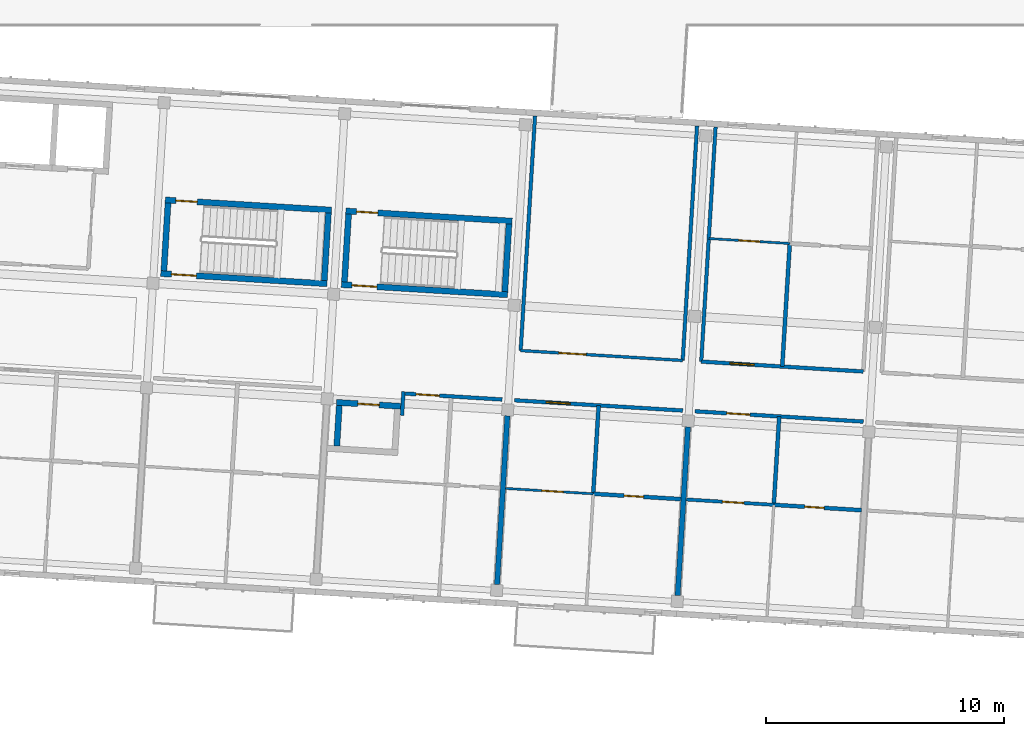
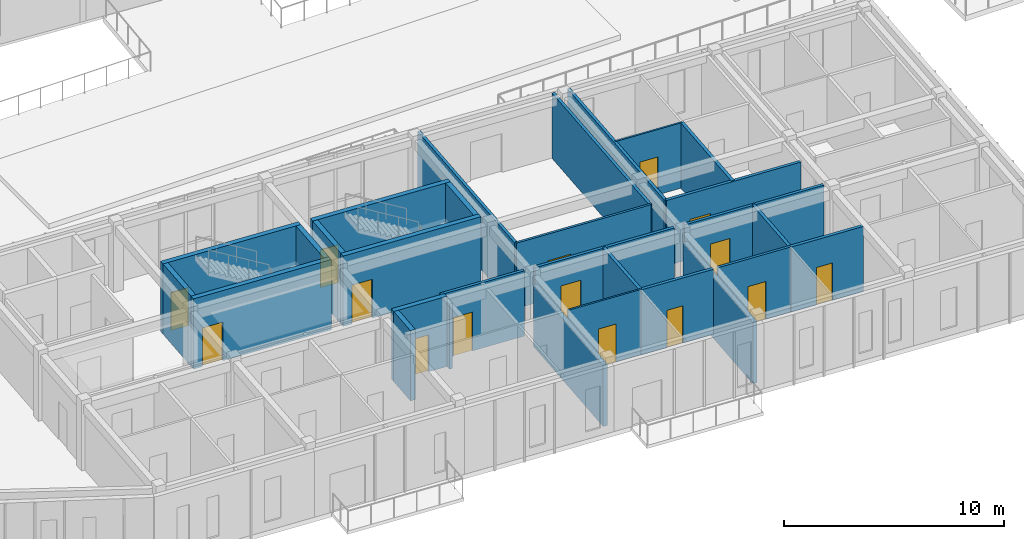
# One storey, part 88 of 150: 29 walls, 15 doors, 15 openings.
"""IFC4 building model written with IfcOpenShell, lengths in metres."""

from ifc_helpers import new_model, si_unit, direction, frame, frame_2d, origin, place, context, subcontext, project, spatial, rectangle, extrude, material, layer, layer_set, type_object, element, fill, save


model = new_model("IFC4")

# Units and contexts
model_context = context("Model", 3, precision=1e-05, world=origin(), true_north=direction((0.0, 1.0)))
body_context = subcontext(model_context, "Body", "Model", "MODEL_VIEW")
ifc_project = project(units=[si_unit("LENGTHUNIT", "METRE"), si_unit("AREAUNIT", "SQUARE_METRE"), si_unit("VOLUMEUNIT", "CUBIC_METRE"), si_unit("PLANEANGLEUNIT", "RADIAN"), si_unit("MASSUNIT", "GRAM", prefix="KILO")], contexts=[model_context])

# Site, building, storey
site_placement = place(None, origin())
site = spatial("IfcSite", under=ifc_project, at=site_placement, CompositionType="ELEMENT")
building_placement = place(site_placement, origin())
building = spatial("IfcBuilding", under=site, at=building_placement, Name="Kestramere Prow Commons", CompositionType="ELEMENT")
storey_placement = place(building_placement, frame((0.0, 0.0, 4.5)))
storey = spatial("IfcBuildingStorey", under=building, at=storey_placement, Name="L01", CompositionType="ELEMENT", Elevation=4.5)

# Wall, opening, door
ifc_material_1 = material(Name="Concrete C40/50", Category="concrete")
ifc_layer_1 = layer(ifc_material_1, 0.25)
ifc_layer_set_1 = layer_set([ifc_layer_1], Name="Concrete C40/50")
wall_type_1 = type_object("IfcWallType", Name="W-CORE-250", PredefinedType="SHEAR", material=ifc_layer_set_1)
wall_1_placement = place(storey_placement, frame((68.3330078125, 61.513671875, 0.0), z_axis=(0.0, 0.0, 1.0), x_axis=(0.998135676081, -0.061034188237, 0.0)))
wall_1 = element("IfcWall", 1, at=wall_1_placement, inside=storey, type_object=wall_type_1, Name="ST-C1 L01 North Shaft Wall", PredefinedType="SHEAR", context=body_context, shape_type="SweptSolid", body=[
    extrude(rectangle(XDim=7.0, YDim=0.25, at=frame_2d((3.5, 0.0))), origin(), (0.0, 0.0, 1.0), 3.89990234375),
])
opening_1_placement = place(wall_1_placement, frame((0.449951171875, 0.0, 0.0)))
opening_1 = element("IfcOpeningElement", 2, at=opening_1_placement, cuts=wall_1, Name="Opening ID-08", PredefinedType="OPENING", context=body_context, shape_type="SweptSolid", body=[
    extrude(rectangle(XDim=0.89990234375, YDim=2.10009765625, at=frame_2d((0.449951171875, 1.050048828125))), frame((0.0, 0.139892578125, 0.0), z_axis=(0.0, -1.0, 0.0), x_axis=(1.0, 0.0, 0.0)), (0.0, 0.0, 1.0), 0.280029296875),
])
ifc_material_2 = material(Name="Engineered Timber Flush Door", Category="wood")
door_type_1 = type_object("IfcDoorType", Name="D-RM-01", OperationType="NOTDEFINED", PredefinedType="DOOR", material=ifc_material_2)
door_1_placement = place(opening_1_placement, origin())
door_1 = element("IfcDoor", 3, at=door_1_placement, inside=storey, type_object=door_type_1, Name="ST-C1 L01 North Room Door", OperationType="SINGLE_SWING_RIGHT", OverallHeight=2.10009765625, OverallWidth=0.89990234375, PredefinedType="DOOR", context=body_context, shape_type="SweptSolid", body=[
    extrude(rectangle(XDim=0.89990234375, YDim=2.10009765625, at=frame_2d((0.449951171875, 1.050048828125))), frame((0.0, 0.02490234375, 0.0), z_axis=(0.0, -1.0, 0.0), x_axis=(1.0, 0.0, 0.0)), (0.0, 0.0, 1.0), 0.050048828125),
])
fill(opening_1, door_1)

wall_2_placement = place(storey_placement, frame((68.143798828125, 58.41943359375, 0.0), z_axis=(0.0, 0.0, 1.0), x_axis=(0.998135546153, -0.061036313012, 0.0)))
wall_2 = element("IfcWall", 4, at=wall_2_placement, inside=storey, type_object=wall_type_1, Name="ST-C1 L01 Corridor Shaft Wall", PredefinedType="SHEAR", context=body_context, shape_type="SweptSolid", body=[
    extrude(rectangle(XDim=6.999755859375, YDim=0.25, at=frame_2d((3.5, 0.0))), origin(), (0.0, 0.0, 1.0), 3.89990234375),
])
opening_2_placement = place(wall_2_placement, frame((0.449951171875, 0.0, 0.0)))
opening_2 = element("IfcOpeningElement", 5, at=opening_2_placement, cuts=wall_2, Name="Opening ID-01", PredefinedType="OPENING", context=body_context, shape_type="SweptSolid", body=[
    extrude(rectangle(XDim=1.050048828125, YDim=2.14990234375, at=frame_2d((0.52490234375, 1.074951171875))), frame((0.0, 0.139892578125, 0.0), z_axis=(0.0, -1.0, 0.0), x_axis=(1.0, 0.0, 0.0)), (0.0, 0.0, 1.0), 0.280029296875),
])
ifc_material_3 = material(Name="Fire-Rated Timber and Steel Frame", Category="steel")
door_type_2 = type_object("IfcDoorType", Name="FD-ST-01", OperationType="NOTDEFINED", PredefinedType="DOOR", material=ifc_material_3)
door_2_placement = place(opening_2_placement, origin())
door_2 = element("IfcDoor", 6, at=door_2_placement, inside=storey, type_object=door_type_2, Name="ST-C1 L01 Protected Stair Door", OperationType="SINGLE_SWING_RIGHT", OverallHeight=2.14990234375, OverallWidth=1.050048828125, PredefinedType="DOOR", context=body_context, shape_type="SweptSolid", body=[
    extrude(rectangle(XDim=1.050048828125, YDim=2.14990234375, at=frame_2d((0.52490234375, 1.074951171875))), frame((0.0, 0.02490234375, 0.0), z_axis=(0.0, -1.0, 0.0), x_axis=(1.0, 0.0, 0.0)), (0.0, 0.0, 1.0), 0.050048828125),
])
fill(opening_2, door_2)

# Walls
for number, where, z_axis, x_axis, name in (
    (7, (68.276123046875, 58.53662109375, 0.0), (0.0, 0.0, 1.0), (0.06107697143, 0.998133059046, 0.0), "ST-C1 L01 Near Shaft Wall"),
    (8, (75.013671875, 58.12451171875, 0.0), (0.0, 0.0, 1.0), (0.060991628362, 0.99813827763, 0.0), "ST-C1 L01 Far Shaft Wall"),
):
    element("IfcWall", number, at=place(storey_placement, frame(where, z_axis=z_axis, x_axis=x_axis)), inside=storey, type_object=wall_type_1, Name=name, PredefinedType="SHEAR", context=body_context, shape_type="SweptSolid", body=[
        extrude(rectangle(XDim=2.85009765625, YDim=0.25, at=frame_2d((1.425048828125, 0.0))), origin(), (0.0, 0.0, 1.0), 3.89990234375),
    ])

# Wall, opening, door
wall_3_placement = place(storey_placement, frame((75.9189453125, 61.0498046875, 0.0), z_axis=(0.0, 0.0, 1.0), x_axis=(0.998135546153, -0.061036313012, 0.0)))
wall_3 = element("IfcWall", 9, at=wall_3_placement, inside=storey, type_object=wall_type_1, Name="ST-C2 L01 North Shaft Wall", PredefinedType="SHEAR", context=body_context, shape_type="SweptSolid", body=[
    extrude(rectangle(XDim=6.999755859375, YDim=0.25, at=frame_2d((3.5, 0.0))), origin(), (0.0, 0.0, 1.0), 3.89990234375),
])
opening_3_placement = place(wall_3_placement, frame((0.449951171875, 0.0, 0.0)))
opening_3 = element("IfcOpeningElement", 10, at=opening_3_placement, cuts=wall_3, Name="Opening ID-08", PredefinedType="OPENING", context=body_context, shape_type="SweptSolid", body=[
    extrude(rectangle(XDim=0.89990234375, YDim=2.10009765625, at=frame_2d((0.449951171875, 1.050048828125))), frame((0.0, 0.139892578125, 0.0), z_axis=(0.0, -1.0, 0.0), x_axis=(1.0, 0.0, 0.0)), (0.0, 0.0, 1.0), 0.280029296875),
])
door_3_placement = place(opening_3_placement, origin())
door_3 = element("IfcDoor", 11, at=door_3_placement, inside=storey, type_object=door_type_1, Name="ST-C2 L01 North Room Door", OperationType="SINGLE_SWING_RIGHT", OverallHeight=2.10009765625, OverallWidth=0.89990234375, PredefinedType="DOOR", context=body_context, shape_type="SweptSolid", body=[
    extrude(rectangle(XDim=0.89990234375, YDim=2.10009765625, at=frame_2d((0.449951171875, 1.050048828125))), frame((0.0, 0.02490234375, 0.0), z_axis=(0.0, -1.0, 0.0), x_axis=(1.0, 0.0, 0.0)), (0.0, 0.0, 1.0), 0.050048828125),
])
fill(opening_3, door_3)

wall_4_placement = place(storey_placement, frame((75.729736328125, 57.95556640625, 0.0), z_axis=(0.0, 0.0, 1.0), x_axis=(0.998135546153, -0.061036313012, 0.0)))
wall_4 = element("IfcWall", 12, at=wall_4_placement, inside=storey, type_object=wall_type_1, Name="ST-C2 L01 Corridor Shaft Wall", PredefinedType="SHEAR", context=body_context, shape_type="SweptSolid", body=[
    extrude(rectangle(XDim=6.999755859375, YDim=0.25, at=frame_2d((3.5, 0.0))), origin(), (0.0, 0.0, 1.0), 3.89990234375),
])
opening_4_placement = place(wall_4_placement, frame((0.449951171875, 0.0, 0.0)))
opening_4 = element("IfcOpeningElement", 13, at=opening_4_placement, cuts=wall_4, Name="Opening ID-01", PredefinedType="OPENING", context=body_context, shape_type="SweptSolid", body=[
    extrude(rectangle(XDim=1.050048828125, YDim=2.14990234375, at=frame_2d((0.52490234375, 1.074951171875))), frame((0.0, 0.139892578125, 0.0), z_axis=(0.0, -1.0, 0.0), x_axis=(1.0, 0.0, 0.0)), (0.0, 0.0, 1.0), 0.280029296875),
])
door_4_placement = place(opening_4_placement, origin())
door_4 = element("IfcDoor", 14, at=door_4_placement, inside=storey, type_object=door_type_2, Name="ST-C2 L01 Protected Stair Door", OperationType="SINGLE_SWING_RIGHT", OverallHeight=2.14990234375, OverallWidth=1.050048828125, PredefinedType="DOOR", context=body_context, shape_type="SweptSolid", body=[
    extrude(rectangle(XDim=1.050048828125, YDim=2.14990234375, at=frame_2d((0.52490234375, 1.074951171875))), frame((0.0, 0.02490234375, 0.0), z_axis=(0.0, -1.0, 0.0), x_axis=(1.0, 0.0, 0.0)), (0.0, 0.0, 1.0), 0.050048828125),
])
fill(opening_4, door_4)

# Walls
for number, where, z_axis, x_axis, name in (
    (15, (75.862060546875, 58.07275390625, 0.0), (0.0, 0.0, 1.0), (0.060991628362, 0.99813827763, 0.0), "ST-C2 L01 Near Shaft Wall"),
    (16, (82.599365234375, 57.66064453125, 0.0), (0.0, 0.0, 1.0), (0.06107697143, 0.998133059046, 0.0), "ST-C2 L01 Far Shaft Wall"),
):
    element("IfcWall", number, at=place(storey_placement, frame(where, z_axis=z_axis, x_axis=x_axis)), inside=storey, type_object=wall_type_1, Name=name, PredefinedType="SHEAR", context=body_context, shape_type="SweptSolid", body=[
        extrude(rectangle(XDim=2.85009765625, YDim=0.25, at=frame_2d((1.425048828125, 0.0))), origin(), (0.0, 0.0, 1.0), 3.89990234375),
    ])
ifc_material_4 = material(Name="Fire-Rated Calcium Silicate Wall")
ifc_layer_2 = layer(ifc_material_4, 0.155029296875)
ifc_layer_set_2 = layer_set([ifc_layer_2], Name="Fire-Rated Calcium Silicate Wall")
wall_type_2 = type_object("IfcWallType", Name="W-FIRE-150", PredefinedType="PARTITIONING", material=ifc_layer_set_2)
wall_5_placement = place(storey_placement, frame((78.279052734375, 52.464599609375, 0.0), z_axis=(0.0, 0.0, 1.0), x_axis=(0.061095097219, 0.998131949742, 0.0)))
element("IfcWall", 17, at=wall_5_placement, inside=storey, type_object=wall_type_2, Name="Interior Partition PW-C-L01-HS-CLOSER", PredefinedType="PARTITIONING", context=body_context, shape_type="SweptSolid", body=[
    extrude(rectangle(XDim=0.9951171875, YDim=0.155029296875, at=frame_2d((0.49755859375, 0.0))), origin(), (0.0, 0.0, 1.0), 3.6201171875),
])

# Wall, opening, door
wall_6_placement = place(storey_placement, frame((78.415283203125, 53.378173828125, 0.0), z_axis=(0.0, 0.0, 1.0), x_axis=(0.998131852862, -0.061096679962, 0.0)))
wall_6 = element("IfcWall", 18, at=wall_6_placement, inside=storey, type_object=wall_type_2, Name="Interior Partition PW-C-L01-CS-2", PredefinedType="PARTITIONING", context=body_context, shape_type="SweptSolid", body=[
    extrude(rectangle(XDim=4.079833984375, YDim=0.155029296875, at=frame_2d((2.0400390625, 0.0))), origin(), (0.0, 0.0, 1.0), 3.6201171875),
])
opening_5_placement = place(wall_6_placement, frame((0.45703125, 0.0, 0.0)))
opening_5 = element("IfcOpeningElement", 19, at=opening_5_placement, cuts=wall_6, Name="Opening ID-04", PredefinedType="OPENING", context=body_context, shape_type="SweptSolid", body=[
    extrude(rectangle(XDim=0.97998046875, YDim=2.14990234375, at=frame_2d((0.489990234375, 1.074951171875))), frame((0.0, 0.092529296875, 0.0), z_axis=(0.0, -1.0, 0.0), x_axis=(1.0, 0.0, 0.0)), (0.0, 0.0, 1.0), 0.18505859375),
])
ifc_material_5 = material(Name="Hardwood Fire-Rated Flat Entrance Door", Category="wood")
door_type_3 = type_object("IfcDoorType", Name="FD-ENT-01", OperationType="NOTDEFINED", PredefinedType="DOOR", material=ifc_material_5)
door_5_placement = place(opening_5_placement, origin())
door_5 = element("IfcDoor", 20, at=door_5_placement, inside=storey, type_object=door_type_3, Name="Interior Door DR-C-L01-ENT-S2", OperationType="SINGLE_SWING_RIGHT", OverallHeight=2.14990234375, OverallWidth=0.97998046875, PredefinedType="DOOR", context=body_context, shape_type="SweptSolid", body=[
    extrude(rectangle(XDim=0.97998046875, YDim=2.14990234375, at=frame_2d((0.489990234375, 1.074951171875))), frame((0.0, 0.02490234375, 0.0), z_axis=(0.0, -1.0, 0.0), x_axis=(1.0, 0.0, 0.0)), (0.0, 0.0, 1.0), 0.050048828125),
])
fill(opening_5, door_5)

wall_7_placement = place(storey_placement, frame((83.006591796875, 53.09716796875, 0.0), z_axis=(0.0, 0.0, 1.0), x_axis=(0.998135666539, -0.061034344288, 0.0)))
wall_7 = element("IfcWall", 21, at=wall_7_placement, inside=storey, type_object=wall_type_2, Name="Interior Partition PW-C-L01-CS-3", PredefinedType="PARTITIONING", context=body_context, shape_type="SweptSolid", body=[
    extrude(rectangle(XDim=7.080078125, YDim=0.155029296875, at=frame_2d((3.5400390625, 0.0))), origin(), (0.0, 0.0, 1.0), 3.6201171875),
])
opening_6_placement = place(wall_7_placement, frame((1.330078125, 0.0, 0.0)))
opening_6 = element("IfcOpeningElement", 22, at=opening_6_placement, cuts=wall_7, Name="Opening ID-05", PredefinedType="OPENING", context=body_context, shape_type="SweptSolid", body=[
    extrude(rectangle(XDim=1.02001953125, YDim=2.199951171875, at=frame_2d((0.510009765625, 1.10009765625))), frame((0.0, 0.092529296875, 0.0), z_axis=(0.0, -1.0, 0.0), x_axis=(1.0, 0.0, 0.0)), (0.0, 0.0, 1.0), 0.18505859375),
])
door_type_4 = type_object("IfcDoorType", Name="FD-ENT-02", OperationType="NOTDEFINED", PredefinedType="DOOR", material=ifc_material_5)
door_6_placement = place(opening_6_placement, origin())
door_6 = element("IfcDoor", 23, at=door_6_placement, inside=storey, type_object=door_type_4, Name="Interior Door DR-C-L01-ENT-S3", OperationType="SINGLE_SWING_LEFT", OverallHeight=2.199951171875, OverallWidth=1.02001953125, PredefinedType="DOOR", context=body_context, shape_type="SweptSolid", body=[
    extrude(rectangle(XDim=1.02001953125, YDim=2.199951171875, at=frame_2d((0.510009765625, 1.10009765625))), frame((0.0, 0.02490234375, 0.0), z_axis=(0.0, -1.0, 0.0), x_axis=(1.0, 0.0, 0.0)), (0.0, 0.0, 1.0), 0.050048828125),
])
fill(opening_6, door_6)

wall_8_placement = place(storey_placement, frame((90.592529296875, 52.63330078125, 0.0), z_axis=(0.0, 0.0, 1.0), x_axis=(0.998135538078, -0.061036445065, 0.0)))
wall_8 = element("IfcWall", 24, at=wall_8_placement, inside=storey, type_object=wall_type_2, Name="Interior Partition PW-C-L01-CS-4", PredefinedType="PARTITIONING", context=body_context, shape_type="SweptSolid", body=[
    extrude(rectangle(XDim=7.079833984375, YDim=0.155029296875, at=frame_2d((3.5400390625, 0.0))), origin(), (0.0, 0.0, 1.0), 3.6201171875),
])
opening_7_placement = place(wall_8_placement, frame((1.330078125, 0.0, 0.0)))
opening_7 = element("IfcOpeningElement", 25, at=opening_7_placement, cuts=wall_8, Name="Opening ID-04", PredefinedType="OPENING", context=body_context, shape_type="SweptSolid", body=[
    extrude(rectangle(XDim=0.97998046875, YDim=2.14990234375, at=frame_2d((0.489990234375, 1.074951171875))), frame((0.0, 0.092529296875, 0.0), z_axis=(0.0, -1.0, 0.0), x_axis=(1.0, 0.0, 0.0)), (0.0, 0.0, 1.0), 0.18505859375),
])
door_7_placement = place(opening_7_placement, origin())
door_7 = element("IfcDoor", 26, at=door_7_placement, inside=storey, type_object=door_type_3, Name="Interior Door DR-C-L01-ENT-S4", OperationType="SINGLE_SWING_RIGHT", OverallHeight=2.14990234375, OverallWidth=0.97998046875, PredefinedType="DOOR", context=body_context, shape_type="SweptSolid", body=[
    extrude(rectangle(XDim=0.97998046875, YDim=2.14990234375, at=frame_2d((0.489990234375, 1.074951171875))), frame((0.0, 0.02490234375, 0.0), z_axis=(0.0, -1.0, 0.0), x_axis=(1.0, 0.0, 0.0)), (0.0, 0.0, 1.0), 0.050048828125),
])
fill(opening_7, door_7)

wall_9_placement = place(storey_placement, frame((90.850341796875, 54.721435546875, 0.0), z_axis=(0.0, 0.0, 1.0), x_axis=(0.998135665032, -0.06103436893, 0.0)))
wall_9 = element("IfcWall", 27, at=wall_9_placement, inside=storey, type_object=wall_type_2, Name="Interior Partition PW-C-L01-CN-4", PredefinedType="PARTITIONING", context=body_context, shape_type="SweptSolid", body=[
    extrude(rectangle(XDim=6.820068359375, YDim=0.155029296875, at=frame_2d((3.41015625, 0.0))), origin(), (0.0, 0.0, 1.0), 3.6201171875),
])
opening_8_placement = place(wall_9_placement, frame((1.205078125, 0.0, 0.0)))
opening_8 = element("IfcOpeningElement", 28, at=opening_8_placement, cuts=wall_9, Name="Opening ID-05", PredefinedType="OPENING", context=body_context, shape_type="SweptSolid", body=[
    extrude(rectangle(XDim=1.02001953125, YDim=2.199951171875, at=frame_2d((0.510009765625, 1.10009765625))), frame((0.0, 0.092529296875, 0.0), z_axis=(0.0, -1.0, 0.0), x_axis=(1.0, 0.0, 0.0)), (0.0, 0.0, 1.0), 0.18505859375),
])
door_8_placement = place(opening_8_placement, origin())
door_8 = element("IfcDoor", 29, at=door_8_placement, inside=storey, type_object=door_type_4, Name="Interior Door DR-C-L01-ENT-N4", OperationType="SINGLE_SWING_LEFT", OverallHeight=2.199951171875, OverallWidth=1.02001953125, PredefinedType="DOOR", context=body_context, shape_type="SweptSolid", body=[
    extrude(rectangle(XDim=1.02001953125, YDim=2.199951171875, at=frame_2d((0.510009765625, 1.10009765625))), frame((0.0, 0.02490234375, 0.0), z_axis=(0.0, -1.0, 0.0), x_axis=(1.0, 0.0, 0.0)), (0.0, 0.0, 1.0), 0.050048828125),
])
fill(opening_8, door_8)

ifc_layer_3 = layer(ifc_material_1, 0.25)
ifc_layer_set_3 = layer_set([ifc_layer_3], Name="Concrete C40/50")
wall_type_3 = type_object("IfcWallType", Name="W-HS-250", PredefinedType="SHEAR", material=ifc_layer_set_3)
wall_10_placement = place(storey_placement, frame((75.52734375, 53.0087890625, 0.0), z_axis=(0.0, 0.0, 1.0), x_axis=(0.998129907752, -0.061128448781, 0.0)))
wall_10 = element("IfcWall", 30, at=wall_10_placement, inside=storey, type_object=wall_type_3, Name="Block C L01 Household Shelter North Wall", PredefinedType="SHEAR", context=body_context, shape_type="SweptSolid", body=[
    extrude(rectangle(XDim=2.699951171875, YDim=0.25, at=frame_2d((1.35009765625, 0.0))), origin(), (0.0, 0.0, 1.0), 3.89990234375),
])
opening_9_placement = place(wall_10_placement, frame((0.89990234375, 0.0, 0.0)))
opening_9 = element("IfcOpeningElement", 31, at=opening_9_placement, cuts=wall_10, Name="Opening ID-06", PredefinedType="OPENING", context=body_context, shape_type="SweptSolid", body=[
    extrude(rectangle(XDim=0.89990234375, YDim=2.050048828125, at=frame_2d((0.449951171875, 1.02490234375))), frame((0.0, 0.139892578125, 0.0), z_axis=(0.0, -1.0, 0.0), x_axis=(1.0, 0.0, 0.0)), (0.0, 0.0, 1.0), 0.280029296875),
])
ifc_material_6 = material(Name="Galvanised Steel S275JR Household Shelter Door", Category="steel")
door_type_5 = type_object("IfcDoorType", Name="FD-HS-01", OperationType="NOTDEFINED", PredefinedType="DOOR", material=ifc_material_6)
door_9_placement = place(opening_9_placement, origin())
door_9 = element("IfcDoor", 32, at=door_9_placement, inside=storey, type_object=door_type_5, Name="Block C L01 Household Shelter Blast Door", OperationType="SINGLE_SWING_LEFT", OverallHeight=2.050048828125, OverallWidth=0.89990234375, PredefinedType="DOOR", context=body_context, shape_type="SweptSolid", body=[
    extrude(rectangle(XDim=0.89990234375, YDim=2.050048828125, at=frame_2d((0.449951171875, 1.02490234375))), frame((0.0, 0.02490234375, 0.0), z_axis=(0.0, -1.0, 0.0), x_axis=(1.0, 0.0, 0.0)), (0.0, 0.0, 1.0), 0.050048828125),
])
fill(opening_9, door_9)

# Wall
wall_11_placement = place(storey_placement, frame((75.54052734375, 51.179443359375, 0.0), z_axis=(0.0, 0.0, 1.0), x_axis=(0.061037062968, 0.998135500293, 0.0)))
element("IfcWall", 33, at=wall_11_placement, inside=storey, type_object=wall_type_3, Name="Block C L01 Household Shelter W Wall", PredefinedType="SHEAR", context=body_context, shape_type="SweptSolid", body=[
    extrude(rectangle(XDim=1.699951171875, YDim=0.25, at=frame_2d((0.85009765625, 0.0))), origin(), (0.0, 0.0, 1.0), 3.89990234375),
])

# Wall, opening, door
ifc_material_7 = material(Name="Lightweight Blockwork and Plaster", Category="masonry")
ifc_layer_4 = layer(ifc_material_7, 0.1201171875)
ifc_layer_set_4 = layer_set([ifc_layer_4], Name="Lightweight Blockwork and Plaster")
wall_type_4 = type_object("IfcWallType", Name="W-PART-120", PredefinedType="PARTITIONING", material=ifc_layer_set_4)
wall_12_placement = place(storey_placement, frame((83.2646484375, 55.185302734375, 0.0), z_axis=(0.0, 0.0, 1.0), x_axis=(0.998135531673, -0.061036549799, 0.0)))
wall_12 = element("IfcWall", 34, at=wall_12_placement, inside=storey, type_object=wall_type_4, Name="Interior Partition PW-C-L01-CRT-CN", PredefinedType="PARTITIONING", context=body_context, shape_type="SweptSolid", body=[
    extrude(rectangle(XDim=6.81982421875, YDim=0.1201171875, at=frame_2d((3.409912109375, 0.0))), origin(), (0.0, 0.0, 1.0), 3.6201171875),
])
opening_10_placement = place(wall_12_placement, frame((1.60009765625, 0.0, 0.0)))
opening_10 = element("IfcOpeningElement", 35, at=opening_10_placement, cuts=wall_12, Name="Opening ID-09", PredefinedType="OPENING", context=body_context, shape_type="SweptSolid", body=[
    extrude(rectangle(XDim=1.14990234375, YDim=2.14990234375, at=frame_2d((0.574951171875, 1.074951171875))), frame((0.0, 0.074951171875, 0.0), z_axis=(0.0, -1.0, 0.0), x_axis=(1.0, 0.0, 0.0)), (0.0, 0.0, 1.0), 0.150146484375),
])
ifc_material_8 = material(Name="Engineered Timber Acoustic Door", Category="wood")
door_type_6 = type_object("IfcDoorType", Name="D-RM-02", OperationType="NOTDEFINED", PredefinedType="DOOR", material=ifc_material_8)
door_10_placement = place(opening_10_placement, origin())
door_10 = element("IfcDoor", 36, at=door_10_placement, inside=storey, type_object=door_type_6, Name="Interior Door DR-C-L01-CRTLNG", OperationType="SINGLE_SWING_RIGHT", OverallHeight=2.14990234375, OverallWidth=1.14990234375, PredefinedType="DOOR", context=body_context, shape_type="SweptSolid", body=[
    extrude(rectangle(XDim=1.14990234375, YDim=2.14990234375, at=frame_2d((0.574951171875, 1.074951171875))), frame((0.0, 0.02490234375, 0.0), z_axis=(0.0, -1.0, 0.0), x_axis=(1.0, 0.0, 0.0)), (0.0, 0.0, 1.0), 0.050048828125),
])
fill(opening_10, door_10)

ifc_material_9 = material(Name="Masonry Compartment Wall", Category="masonry")
ifc_layer_5 = layer(ifc_material_9, 0.139892578125)
ifc_layer_set_5 = layer_set([ifc_layer_5], Name="Masonry Compartment Wall")
wall_type_5 = type_object("IfcWallType", Name="W-PART-140", PredefinedType="PARTITIONING", material=ifc_layer_set_5)
wall_13_placement = place(storey_placement, frame((90.220703125, 48.92919921875, 0.0), z_axis=(0.0, 0.0, 1.0), x_axis=(0.99813243538, -0.061087162657, 0.0)))
wall_13 = element("IfcWall", 37, at=wall_13_placement, inside=storey, type_object=wall_type_5, Name="Interior Partition PW-C-L01-MIDS1-4", PredefinedType="PARTITIONING", context=body_context, shape_type="SweptSolid", body=[
    extrude(rectangle(XDim=3.684814453125, YDim=0.139892578125, at=frame_2d((1.84228515625, 0.0))), origin(), (0.0, 0.0, 1.0), 3.6201171875),
])
opening_11_placement = place(wall_13_placement, frame((1.52490234375, 0.0, 0.0)))
opening_11 = element("IfcOpeningElement", 38, at=opening_11_placement, cuts=wall_13, Name="Opening ID-08", PredefinedType="OPENING", context=body_context, shape_type="SweptSolid", body=[
    extrude(rectangle(XDim=0.89990234375, YDim=2.10009765625, at=frame_2d((0.449951171875, 1.050048828125))), frame((0.0, 0.0849609375, 0.0), z_axis=(0.0, -1.0, 0.0), x_axis=(1.0, 0.0, 0.0)), (0.0, 0.0, 1.0), 0.169921875),
])
door_11_placement = place(opening_11_placement, origin())
door_11 = element("IfcDoor", 39, at=door_11_placement, inside=storey, type_object=door_type_1, Name="Interior Door DR-C-L01-KL-S4", OperationType="SINGLE_SWING_RIGHT", OverallHeight=2.10009765625, OverallWidth=0.89990234375, PredefinedType="DOOR", context=body_context, shape_type="SweptSolid", body=[
    extrude(rectangle(XDim=0.89990234375, YDim=2.10009765625, at=frame_2d((0.449951171875, 1.050048828125))), frame((0.0, 0.02490234375, 0.0), z_axis=(0.0, -1.0, 0.0), x_axis=(1.0, 0.0, 0.0)), (0.0, 0.0, 1.0), 0.050048828125),
])
fill(opening_11, door_11)

# Walls
ifc_layer_6 = layer(ifc_material_9, 0.14990234375)
ifc_layer_set_6 = layer_set([ifc_layer_6], Name="Masonry Compartment Wall")
wall_type_6 = type_object("IfcWallType", Name="W-PART-150", PredefinedType="PARTITIONING", material=ifc_layer_set_6)
wall_14_placement = place(storey_placement, frame((83.2646484375, 55.185302734375, 0.0), z_axis=(0.0, 0.0, 1.0), x_axis=(0.061046193261, 0.998134941923, 0.0)))
element("IfcWall", 40, at=wall_14_placement, inside=storey, type_object=wall_type_6, Name="Interior Partition PW-C-L01-NWL-3", PredefinedType="PARTITIONING", context=body_context, shape_type="SweptSolid", body=[
    extrude(rectangle(XDim=9.8701171875, YDim=0.14990234375, at=frame_2d((4.93505859375, 0.0))), origin(), (0.0, 0.0, 1.0), 3.6201171875),
])
for number, where, z_axis, x_axis, name in (
    (41, (90.07177734375, 54.76904296875, 0.0), (0.0, 0.0, 1.0), (0.061047700465, 0.998134849741, 0.0), "Interior Partition PW-C-L01-NWR-3"),
    (42, (90.850341796875, 54.721435546875, 0.0), (0.0, 0.0, 1.0), (0.061047700465, 0.998134849741, 0.0), "Interior Partition PW-C-L01-NWL-4"),
):
    element("IfcWall", number, at=place(storey_placement, frame(where, z_axis=z_axis, x_axis=x_axis)), inside=storey, type_object=wall_type_6, Name=name, PredefinedType="PARTITIONING", context=body_context, shape_type="SweptSolid", body=[
        extrude(rectangle(XDim=9.869873046875, YDim=0.14990234375, at=frame_2d((4.93505859375, 0.0))), origin(), (0.0, 0.0, 1.0), 3.6201171875),
    ])

# Wall, opening, door
ifc_material_10 = material(Name="Gypsum Acoustic Drywall")
ifc_layer_7 = layer(ifc_material_10, 0.094970703125)
ifc_layer_set_7 = layer_set([ifc_layer_7], Name="Gypsum Acoustic Drywall")
wall_type_7 = type_object("IfcWallType", Name="W-PART-95", PredefinedType="PARTITIONING", material=ifc_layer_set_7)
wall_15_placement = place(storey_placement, frame((82.634765625, 49.39306640625, 0.0), z_axis=(0.0, 0.0, 1.0), x_axis=(0.998132682596, -0.061083123148, 0.0)))
wall_15 = element("IfcWall", 43, at=wall_15_placement, inside=storey, type_object=wall_type_7, Name="Interior Partition PW-C-L01-MIDS1-3", PredefinedType="PARTITIONING", context=body_context, shape_type="SweptSolid", body=[
    extrude(rectangle(XDim=3.68505859375, YDim=0.094970703125, at=frame_2d((1.842529296875, 0.0))), origin(), (0.0, 0.0, 1.0), 3.6201171875),
])
opening_12_placement = place(wall_15_placement, frame((1.52490234375, 0.0, 0.0)))
opening_12 = element("IfcOpeningElement", 44, at=opening_12_placement, cuts=wall_15, Name="Opening ID-08", PredefinedType="OPENING", context=body_context, shape_type="SweptSolid", body=[
    extrude(rectangle(XDim=0.89990234375, YDim=2.10009765625, at=frame_2d((0.449951171875, 1.050048828125))), frame((0.0, 0.0625, 0.0), z_axis=(0.0, -1.0, 0.0), x_axis=(1.0, 0.0, 0.0)), (0.0, 0.0, 1.0), 0.125),
])
door_12_placement = place(opening_12_placement, origin())
door_12 = element("IfcDoor", 45, at=door_12_placement, inside=storey, type_object=door_type_1, Name="Interior Door DR-C-L01-KL-S3", OperationType="SINGLE_SWING_RIGHT", OverallHeight=2.10009765625, OverallWidth=0.89990234375, PredefinedType="DOOR", context=body_context, shape_type="SweptSolid", body=[
    extrude(rectangle(XDim=0.89990234375, YDim=2.10009765625, at=frame_2d((0.449951171875, 1.050048828125))), frame((0.0, 0.02490234375, 0.0), z_axis=(0.0, -1.0, 0.0), x_axis=(1.0, 0.0, 0.0)), (0.0, 0.0, 1.0), 0.050048828125),
])
fill(opening_12, door_12)

wall_16_placement = place(storey_placement, frame((91.16650390625, 59.891845703125, 0.0), z_axis=(0.0, 0.0, 1.0), x_axis=(0.998133617109, -0.061067850767, 0.0)))
wall_16 = element("IfcWall", 46, at=wall_16_placement, inside=storey, type_object=wall_type_7, Name="Interior Partition PW-C-L01-MIDN1-4", PredefinedType="PARTITIONING", context=body_context, shape_type="SweptSolid", body=[
    extrude(rectangle(XDim=3.41015625, YDim=0.094970703125, at=frame_2d((1.705078125, 0.0))), origin(), (0.0, 0.0, 1.0), 3.6201171875),
])
opening_13_placement = place(wall_16_placement, frame((1.2548828125, 0.0, 0.0)))
opening_13 = element("IfcOpeningElement", 47, at=opening_13_placement, cuts=wall_16, Name="Opening ID-08", PredefinedType="OPENING", context=body_context, shape_type="SweptSolid", body=[
    extrude(rectangle(XDim=0.89990234375, YDim=2.10009765625, at=frame_2d((0.449951171875, 1.050048828125))), frame((0.0, 0.0625, 0.0), z_axis=(0.0, -1.0, 0.0), x_axis=(1.0, 0.0, 0.0)), (0.0, 0.0, 1.0), 0.125),
])
door_13_placement = place(opening_13_placement, origin())
door_13 = element("IfcDoor", 48, at=door_13_placement, inside=storey, type_object=door_type_1, Name="Interior Door DR-C-L01-KL-N4", OperationType="SINGLE_SWING_LEFT", OverallHeight=2.10009765625, OverallWidth=0.89990234375, PredefinedType="DOOR", context=body_context, shape_type="SweptSolid", body=[
    extrude(rectangle(XDim=0.89990234375, YDim=2.10009765625, at=frame_2d((0.449951171875, 1.050048828125))), frame((0.0, 0.02490234375, 0.0), z_axis=(0.0, -1.0, 0.0), x_axis=(1.0, 0.0, 0.0)), (0.0, 0.0, 1.0), 0.050048828125),
])
fill(opening_13, door_13)

ifc_material_11 = material(Name="Waterproof Sanitary Masonry Wall", Category="masonry")
ifc_layer_8 = layer(ifc_material_11, 0.1650390625)
ifc_layer_set_8 = layer_set([ifc_layer_8], Name="Waterproof Sanitary Masonry Wall")
wall_type_8 = type_object("IfcWallType", Name="W-PLUMB-150", PredefinedType="PLUMBINGWALL", material=ifc_layer_set_8)
wall_17_placement = place(storey_placement, frame((86.31298828125, 49.16796875, 0.0), z_axis=(0.0, 0.0, 1.0), x_axis=(0.998136472989, -0.061021154439, 0.0)))
wall_17 = element("IfcWall", 49, at=wall_17_placement, inside=storey, type_object=wall_type_8, Name="Interior Partition PW-C-L01-MIDS2-3", PredefinedType="PLUMBINGWALL", context=body_context, shape_type="SweptSolid", body=[
    extrude(rectangle(XDim=3.684814453125, YDim=0.1650390625, at=frame_2d((1.84228515625, 0.0))), origin(), (0.0, 0.0, 1.0), 3.6201171875),
])
opening_14_placement = place(wall_17_placement, frame((1.300048828125, 0.0, 0.0)))
opening_14 = element("IfcOpeningElement", 50, at=opening_14_placement, cuts=wall_17, Name="Opening ID-11", PredefinedType="OPENING", context=body_context, shape_type="SweptSolid", body=[
    extrude(rectangle(XDim=0.820068359375, YDim=2.080078125, at=frame_2d((0.41015625, 1.0400390625))), frame((0.0, 0.097412109375, 0.0), z_axis=(0.0, -1.0, 0.0), x_axis=(1.0, 0.0, 0.0)), (0.0, 0.0, 1.0), 0.195068359375),
])
ifc_material_12 = material(Name="Moisture-Resistant Timber Bathroom Door", Category="wood")
door_type_7 = type_object("IfcDoorType", Name="D-BT-01", OperationType="NOTDEFINED", PredefinedType="DOOR", material=ifc_material_12)
door_14_placement = place(opening_14_placement, origin())
door_14 = element("IfcDoor", 51, at=door_14_placement, inside=storey, type_object=door_type_7, Name="Interior Door DR-C-L01-BTH-S3", OperationType="SINGLE_SWING_LEFT", OverallHeight=2.080078125, OverallWidth=0.820068359375, PredefinedType="DOOR", context=body_context, shape_type="SweptSolid", body=[
    extrude(rectangle(XDim=0.820068359375, YDim=2.080078125, at=frame_2d((0.41015625, 1.0400390625))), frame((0.0, 0.02490234375, 0.0), z_axis=(0.0, -1.0, 0.0), x_axis=(1.0, 0.0, 0.0)), (0.0, 0.0, 1.0), 0.050048828125),
])
fill(opening_14, door_14)

# Wall
wall_18_placement = place(storey_placement, frame((86.31298828125, 49.16796875, 0.0), z_axis=(0.0, 0.0, 1.0), x_axis=(0.061034005467, 0.998135687257, 0.0)))
element("IfcWall", 52, at=wall_18_placement, inside=storey, type_object=wall_type_8, Name="Interior Partition PW-C-L01-KB-S3", PredefinedType="PLUMBINGWALL", context=body_context, shape_type="SweptSolid", body=[
    extrude(rectangle(XDim=3.719970703125, YDim=0.1650390625, at=frame_2d((1.85986328125, 0.0))), origin(), (0.0, 0.0, 1.0), 3.6201171875),
])

# Wall, opening, door
wall_19_placement = place(storey_placement, frame((93.898681640625, 48.7041015625, 0.0), z_axis=(0.0, 0.0, 1.0), x_axis=(0.998136719672, -0.061017119263, 0.0)))
wall_19 = element("IfcWall", 53, at=wall_19_placement, inside=storey, type_object=wall_type_8, Name="Interior Partition PW-C-L01-MIDS2-4", PredefinedType="PLUMBINGWALL", context=body_context, shape_type="SweptSolid", body=[
    extrude(rectangle(XDim=3.68505859375, YDim=0.1650390625, at=frame_2d((1.842529296875, 0.0))), origin(), (0.0, 0.0, 1.0), 3.6201171875),
])
opening_15_placement = place(wall_19_placement, frame((1.300048828125, 0.0, 0.0)))
opening_15 = element("IfcOpeningElement", 54, at=opening_15_placement, cuts=wall_19, Name="Opening ID-11", PredefinedType="OPENING", context=body_context, shape_type="SweptSolid", body=[
    extrude(rectangle(XDim=0.820068359375, YDim=2.080078125, at=frame_2d((0.41015625, 1.0400390625))), frame((0.0, 0.097412109375, 0.0), z_axis=(0.0, -1.0, 0.0), x_axis=(1.0, 0.0, 0.0)), (0.0, 0.0, 1.0), 0.195068359375),
])
door_15_placement = place(opening_15_placement, origin())
door_15 = element("IfcDoor", 55, at=door_15_placement, inside=storey, type_object=door_type_7, Name="Interior Door DR-C-L01-BTH-S4", OperationType="SINGLE_SWING_LEFT", OverallHeight=2.080078125, OverallWidth=0.820068359375, PredefinedType="DOOR", context=body_context, shape_type="SweptSolid", body=[
    extrude(rectangle(XDim=0.820068359375, YDim=2.080078125, at=frame_2d((0.41015625, 1.0400390625))), frame((0.0, 0.02490234375, 0.0), z_axis=(0.0, -1.0, 0.0), x_axis=(1.0, 0.0, 0.0)), (0.0, 0.0, 1.0), 0.050048828125),
])
fill(opening_15, door_15)

# Walls
wall_20_placement = place(storey_placement, frame((93.898681640625, 48.7041015625, 0.0), z_axis=(0.0, 0.0, 1.0), x_axis=(0.061034005467, 0.998135687257, 0.0)))
element("IfcWall", 56, at=wall_20_placement, inside=storey, type_object=wall_type_8, Name="Interior Partition PW-C-L01-KB-S4", PredefinedType="PLUMBINGWALL", context=body_context, shape_type="SweptSolid", body=[
    extrude(rectangle(XDim=3.719970703125, YDim=0.1650390625, at=frame_2d((1.85986328125, 0.0))), origin(), (0.0, 0.0, 1.0), 3.6201171875),
])
wall_21_placement = place(storey_placement, frame((94.25390625, 54.51318359375, 0.0), z_axis=(0.0, 0.0, 1.0), x_axis=(0.061081315517, 0.998132793217, 0.0)))
element("IfcWall", 57, at=wall_21_placement, inside=storey, type_object=wall_type_8, Name="Interior Partition PW-C-L01-KB-N4", PredefinedType="PLUMBINGWALL", context=body_context, shape_type="SweptSolid", body=[
    extrude(rectangle(XDim=5.18017578125, YDim=0.1650390625, at=frame_2d((2.590087890625, 0.0))), origin(), (0.0, 0.0, 1.0), 3.6201171875),
])
ifc_material_13 = material(Name="Precast concrete C40/50", Category="concrete")
ifc_layer_9 = layer(ifc_material_13, 0.219970703125)
ifc_layer_set_9 = layer_set([ifc_layer_9], Name="Precast concrete C40/50")
wall_type_9 = type_object("IfcWallType", Name="W-XWALL-220", PredefinedType="SHEAR", material=ifc_layer_set_9)
wall_22_placement = place(storey_placement, frame((82.272705078125, 45.357666015625, -0.25), z_axis=(0.0, 0.0, 1.0), x_axis=(0.061070212127, 0.998133472633, 0.0)))
element("IfcWall", 58, at=wall_22_placement, inside=storey, type_object=wall_type_9, Name="Block C L01 Precast Cross-Wall 3", PredefinedType="SHEAR", context=body_context, shape_type="SweptSolid", body=[
    extrude(rectangle(XDim=7.099853515625, YDim=0.219970703125, at=frame_2d((3.5498046875, 0.0))), origin(), (0.0, 0.0, 1.0), 3.39990234375),
])
wall_23_placement = place(storey_placement, frame((89.858642578125, 44.8935546875, -0.25), z_axis=(0.0, 0.0, 1.0), x_axis=(0.061033859059, 0.99813569621, 0.0)))
element("IfcWall", 59, at=wall_23_placement, inside=storey, type_object=wall_type_9, Name="Block C L01 Precast Cross-Wall 4", PredefinedType="SHEAR", context=body_context, shape_type="SweptSolid", body=[
    extrude(rectangle(XDim=7.10009765625, YDim=0.219970703125, at=frame_2d((3.550048828125, 0.0))), origin(), (0.0, 0.0, 1.0), 3.39990234375),
])

save(model, "model.ifc")
